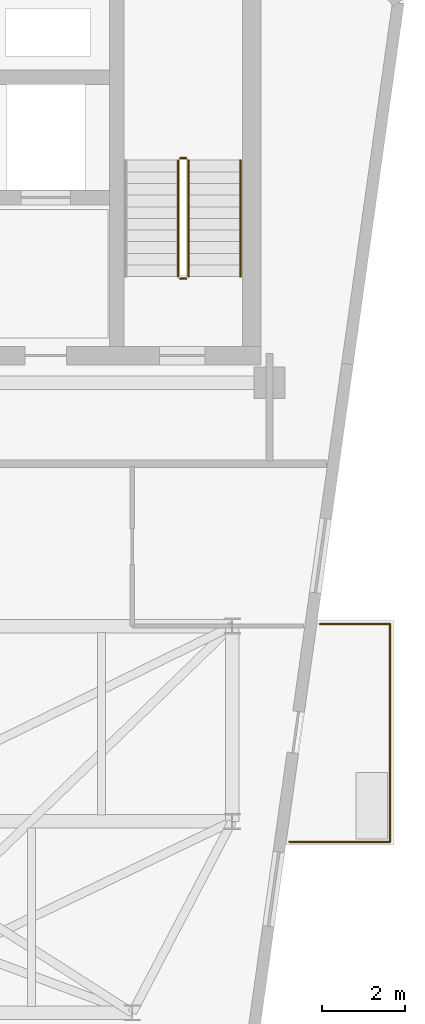
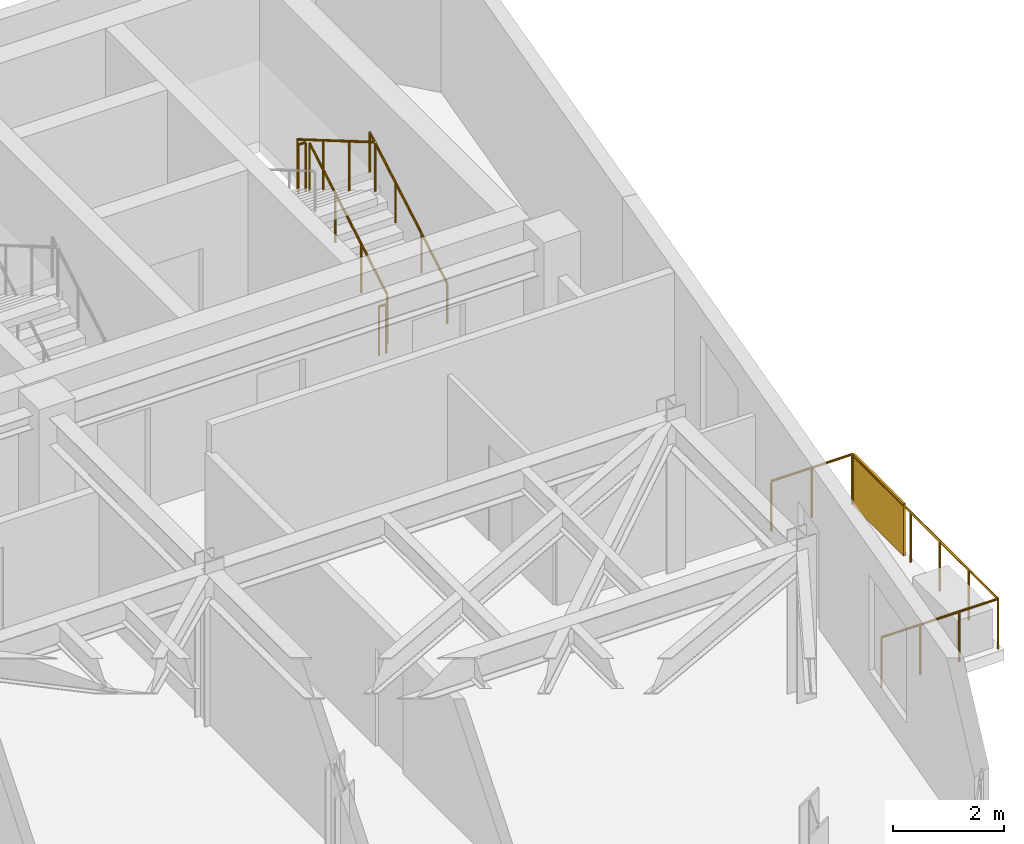
# One storey, part 17 of 17: 8 railings, 1 shading device.
"""IFC4 building model written with IfcOpenShell, lengths in metres."""

from ifc_helpers import new_model, si_unit, direction, frame, origin, origin_2d, place, context, subcontext, project, spatial, rectangle, circle, extrude, material, layer, layer_set, type_object, element, save


model = new_model("IFC4")

# Units and contexts
model_context = context("Model", 3, precision=1e-05, world=origin(), true_north=direction((0.0, 1.0)))
body_context = subcontext(model_context, "Body", "Model", "MODEL_VIEW")
ifc_project = project(units=[si_unit("LENGTHUNIT", "METRE"), si_unit("AREAUNIT", "SQUARE_METRE"), si_unit("VOLUMEUNIT", "CUBIC_METRE"), si_unit("PLANEANGLEUNIT", "RADIAN"), si_unit("MASSUNIT", "GRAM", prefix="KILO")], contexts=[model_context])

# Site, building, storey
site_placement = place(None, origin())
site = spatial("IfcSite", under=ifc_project, at=site_placement, CompositionType="ELEMENT")
building_placement = place(site_placement, origin())
building = spatial("IfcBuilding", under=site, at=building_placement, Name="Kravanh Interchange Tower", CompositionType="ELEMENT")
storey_placement = place(building_placement, frame((0.0, 0.0, 293.10009765625)))
storey = spatial("IfcBuildingStorey", under=building, at=storey_placement, Name="L72", CompositionType="ELEMENT", Elevation=293.10009765625)

# Shading device
ifc_material_1 = material(Name="Perforated Anodised Bronze Aluminium", Category="aluminium")
ifc_layer_1 = layer(ifc_material_1, 0.0400390625)
ifc_layer_set_1 = layer_set([ifc_layer_1], Name="Perforated Bronze Balcony Privacy Screen 1150mm")
shading_device_type = type_object("IfcShadingDeviceType", Name="Perforated Bronze Balcony Privacy Screen 1150mm", PredefinedType="USERDEFINED", material=ifc_layer_set_1)
shading_device_placement = place(storey_placement, frame((69.39892578125, 30.580078125, 0.0), z_axis=(0.0, 0.0, 1.0), x_axis=(1.0, 0.0, 0.0)))
element("IfcShadingDevice", 1, at=shading_device_placement, inside=storey, type_object=shading_device_type, Name="L72 E Perforated Bronze BALCONY SCREEN", ObjectType="SCREEN", PredefinedType="USERDEFINED", context=body_context, shape_type="SweptSolid", body=[
    extrude(rectangle(XDim=0.0400390625, YDim=1.800048828125, at=origin_2d()), origin(), (0.0, 0.0, 1.0), 1.14990234375),
])

# Railings
ifc_material_2 = material(Name="Stainless Steel 316", Category="steel")
ifc_layer_2 = layer(ifc_material_2, 0.06005859375)
ifc_layer_set_2 = layer_set([ifc_layer_2], Name="Perimeter Balcony and Terrace Guardrail Stainless 316 1120mm")
railing_type_1 = type_object("IfcRailingType", Name="Perimeter Balcony and Terrace Guardrail Stainless 316 1120mm", PredefinedType="GUARDRAIL", material=ifc_layer_set_2)
railing_1_placement = place(storey_placement, frame((69.39892578125, 31.550048828125, 0.0)))
element("IfcRailing", 2, at=railing_1_placement, inside=storey, type_object=railing_type_1, Name="L72 E Balcony Guardrail 1", PredefinedType="GUARDRAIL", context=body_context, shape_type="SweptSolid", body=[
    extrude(circle(Radius=0.02392578125, at=origin_2d()), frame((0.0, 0.0, 1.09619140625), z_axis=(0.0, -1.0, 0.0), x_axis=(1.0, 0.0, 0.0)), (0.0, 0.0, 1.0), 5.239990234375),
    extrude(circle(Radius=0.02099609375, at=origin_2d()), origin(), (0.0, 0.0, 1.0), 1.072021484375),
    extrude(circle(Radius=0.02099609375, at=origin_2d()), frame((0.0, -1.048095703125, 0.0)), (0.0, 0.0, 1.0), 1.072021484375),
    extrude(circle(Radius=0.02099609375, at=origin_2d()), frame((0.0, -2.095947265625, 0.0)), (0.0, 0.0, 1.0), 1.072021484375),
    extrude(circle(Radius=0.02099609375, at=origin_2d()), frame((0.0, -3.14404296875, 0.0)), (0.0, 0.0, 1.0), 1.072021484375),
    extrude(circle(Radius=0.02099609375, at=origin_2d()), frame((0.0, -4.19189453125, 0.0)), (0.0, 0.0, 1.0), 1.072021484375),
    extrude(circle(Radius=0.02099609375, at=origin_2d()), frame((0.0, -5.239990234375, 0.0)), (0.0, 0.0, 1.0), 1.072021484375),
])
railing_2_placement = place(storey_placement, frame((69.39892578125, 26.31005859375, 0.0)))
element("IfcRailing", 3, at=railing_2_placement, inside=storey, type_object=railing_type_1, Name="L72 E Balcony Guardrail 2", PredefinedType="GUARDRAIL", context=body_context, shape_type="SweptSolid", body=[
    extrude(circle(Radius=0.02392578125, at=origin_2d()), frame((0.0, 0.0, 1.09619140625), z_axis=(-1.0, 0.0, 0.0), x_axis=(0.0, -1.0, 0.0)), (0.0, 0.0, 1.0), 2.421630859375),
    extrude(circle(Radius=0.02099609375, at=origin_2d()), origin(), (0.0, 0.0, 1.0), 1.072021484375),
    extrude(circle(Radius=0.02099609375, at=origin_2d()), frame((-0.80712890625, 0.0, 0.0)), (0.0, 0.0, 1.0), 1.072021484375),
    extrude(circle(Radius=0.02099609375, at=origin_2d()), frame((-1.614501953125, 0.0, 0.0)), (0.0, 0.0, 1.0), 1.072021484375),
    extrude(circle(Radius=0.02099609375, at=origin_2d()), frame((-2.421630859375, 0.0, 0.0)), (0.0, 0.0, 1.0), 1.072021484375),
])
railing_3_placement = place(storey_placement, frame((67.713623046875, 31.550048828125, 0.0)))
element("IfcRailing", 4, at=railing_3_placement, inside=storey, type_object=railing_type_1, Name="L72 E Balcony Guardrail 3", PredefinedType="GUARDRAIL", context=body_context, shape_type="SweptSolid", body=[
    extrude(circle(Radius=0.02392578125, at=origin_2d()), frame((0.0, 0.0, 1.09619140625), z_axis=(1.0, 0.0, 0.0), x_axis=(0.0, 1.0, 0.0)), (0.0, 0.0, 1.0), 1.685302734375),
    extrude(circle(Radius=0.02099609375, at=origin_2d()), origin(), (0.0, 0.0, 1.0), 1.072021484375),
    extrude(circle(Radius=0.02099609375, at=origin_2d()), frame((0.8427734375, 0.0, 0.0)), (0.0, 0.0, 1.0), 1.072021484375),
    extrude(circle(Radius=0.02099609375, at=origin_2d()), frame((1.685302734375, 0.0, 0.0)), (0.0, 0.0, 1.0), 1.072021484375),
])
ifc_material_3 = material(Name="Structural Steel S355", Category="steel")
ifc_layer_3 = layer(ifc_material_3, 0.050048828125)
ifc_layer_set_3 = layer_set([ifc_layer_3], Name="Stair Well Guardrail Structural Steel S355 1100mm")
railing_type_2 = type_object("IfcRailingType", Name="Stair Well Guardrail Structural Steel S355 1100mm", PredefinedType="GUARDRAIL", material=ifc_layer_set_3)
railing_4_placement = place(storey_placement, frame((64.550048828125, 39.89990234375, 0.16357421875)))
element("IfcRailing", 5, at=railing_4_placement, inside=storey, type_object=railing_type_2, Name="L72 ST1 stair guard 1", PredefinedType="GUARDRAIL", context=body_context, shape_type="SweptSolid", body=[
    extrude(circle(Radius=0.02392578125, at=origin_2d()), frame((0.0, 0.0, 1.076171875), z_axis=(0.0, 0.863393664356, 0.504530851732), x_axis=(-1.0, 0.0, 0.0)), (0.0, 0.0, 1.0), 3.2431640625),
    extrude(circle(Radius=0.02099609375, at=origin_2d()), origin(), (0.0, 0.0, 1.0), 1.052001953125),
    extrude(circle(Radius=0.02099609375, at=origin_2d()), frame((0.0, 0.933349609375, 0.54541015625)), (0.0, 0.0, 1.0), 1.052001953125),
    extrude(circle(Radius=0.02099609375, at=origin_2d()), frame((0.0, 1.86669921875, 1.0908203125)), (0.0, 0.0, 1.0), 1.052001953125),
    extrude(circle(Radius=0.02099609375, at=origin_2d()), frame((0.0, 2.800048828125, 1.63623046875)), (0.0, 0.0, 1.0), 1.052001953125),
])
railing_5_placement = place(storey_placement, frame((64.5, 42.75, 1.7998046875)))
element("IfcRailing", 6, at=railing_5_placement, inside=storey, type_object=railing_type_2, Name="L72 ST1 stair guard 2", PredefinedType="GUARDRAIL", context=body_context, shape_type="SweptSolid", body=[
    extrude(circle(Radius=0.02392578125, at=origin_2d()), frame((0.0, 0.0, 1.076171875), z_axis=(-1.0, 0.0, 0.0), x_axis=(0.0, -1.0, 0.0)), (0.0, 0.0, 1.0), 0.14990234375),
    extrude(circle(Radius=0.02099609375, at=origin_2d()), origin(), (0.0, 0.0, 1.0), 1.052001953125),
    extrude(circle(Radius=0.02099609375, at=origin_2d()), frame((-0.14990234375, 0.0, 0.0)), (0.0, 0.0, 1.0), 1.052001953125),
])
railing_6_placement = place(storey_placement, frame((64.300048828125, 42.699951171875, 1.963623046875)))
element("IfcRailing", 7, at=railing_6_placement, inside=storey, type_object=railing_type_2, Name="L72 ST1 stair guard 3", PredefinedType="GUARDRAIL", context=body_context, shape_type="SweptSolid", body=[
    extrude(circle(Radius=0.02392578125, at=origin_2d()), frame((0.0, 0.0, 1.076171875), z_axis=(0.0, -0.863393664356, 0.504530851732), x_axis=(1.0, 0.0, 0.0)), (0.0, 0.0, 1.0), 3.2431640625),
    extrude(circle(Radius=0.02099609375, at=origin_2d()), origin(), (0.0, 0.0, 1.0), 1.052001953125),
    extrude(circle(Radius=0.02099609375, at=origin_2d()), frame((0.0, -0.933349609375, 0.54541015625)), (0.0, 0.0, 1.0), 1.052001953125),
    extrude(circle(Radius=0.02099609375, at=origin_2d()), frame((0.0, -1.86669921875, 1.0908203125)), (0.0, 0.0, 1.0), 1.052001953125),
    extrude(circle(Radius=0.02099609375, at=origin_2d()), frame((0.0, -2.800048828125, 1.63623046875)), (0.0, 0.0, 1.0), 1.052001953125),
])
railing_7_placement = place(storey_placement, frame((64.5, 39.85009765625, 0.0)))
element("IfcRailing", 8, at=railing_7_placement, inside=storey, type_object=railing_type_2, Name="L72 ST1 stair guard 4", PredefinedType="GUARDRAIL", context=body_context, shape_type="SweptSolid", body=[
    extrude(circle(Radius=0.02392578125, at=origin_2d()), frame((0.0, 0.0, 1.076171875), z_axis=(-1.0, 0.0, 0.0), x_axis=(0.0, -1.0, 0.0)), (0.0, 0.0, 1.0), 0.14990234375),
    extrude(circle(Radius=0.02099609375, at=origin_2d()), origin(), (0.0, 0.0, 1.0), 1.052001953125),
    extrude(circle(Radius=0.02099609375, at=origin_2d()), frame((-0.14990234375, 0.0, 0.0)), (0.0, 0.0, 1.0), 1.052001953125),
])
ifc_material_4 = material(Name="Stainless Steel 304", Category="steel")
ifc_layer_4 = layer(ifc_material_4, 0.044921875)
ifc_layer_set_4 = layer_set([ifc_layer_4], Name="Tubular Stair Handrail Stainless 304 900mm")
railing_type_3 = type_object("IfcRailingType", Name="Tubular Stair Handrail Stainless 304 900mm", PredefinedType="HANDRAIL", material=ifc_layer_set_4)
railing_8_placement = place(storey_placement, frame((65.800048828125, 39.89990234375, 0.16357421875)))
element("IfcRailing", 9, at=railing_8_placement, inside=storey, type_object=railing_type_3, Name="L72 ST1 stair handrail 1", PredefinedType="HANDRAIL", context=body_context, shape_type="SweptSolid", body=[
    extrude(circle(Radius=0.02392578125, at=origin_2d()), frame((0.0, 0.0, 0.8759765625), z_axis=(0.0, 0.863393664356, 0.504530851732), x_axis=(-1.0, 0.0, 0.0)), (0.0, 0.0, 1.0), 3.2431640625),
    extrude(circle(Radius=0.02099609375, at=origin_2d()), origin(), (0.0, 0.0, 1.0), 0.851806640625),
    extrude(circle(Radius=0.02099609375, at=origin_2d()), frame((0.0, 0.933349609375, 0.54541015625)), (0.0, 0.0, 1.0), 0.851806640625),
    extrude(circle(Radius=0.02099609375, at=origin_2d()), frame((0.0, 1.86669921875, 1.0908203125)), (0.0, 0.0, 1.0), 0.851806640625),
    extrude(circle(Radius=0.02099609375, at=origin_2d()), frame((0.0, 2.800048828125, 1.63623046875)), (0.0, 0.0, 1.0), 0.851806640625),
])

save(model, "model.ifc")
